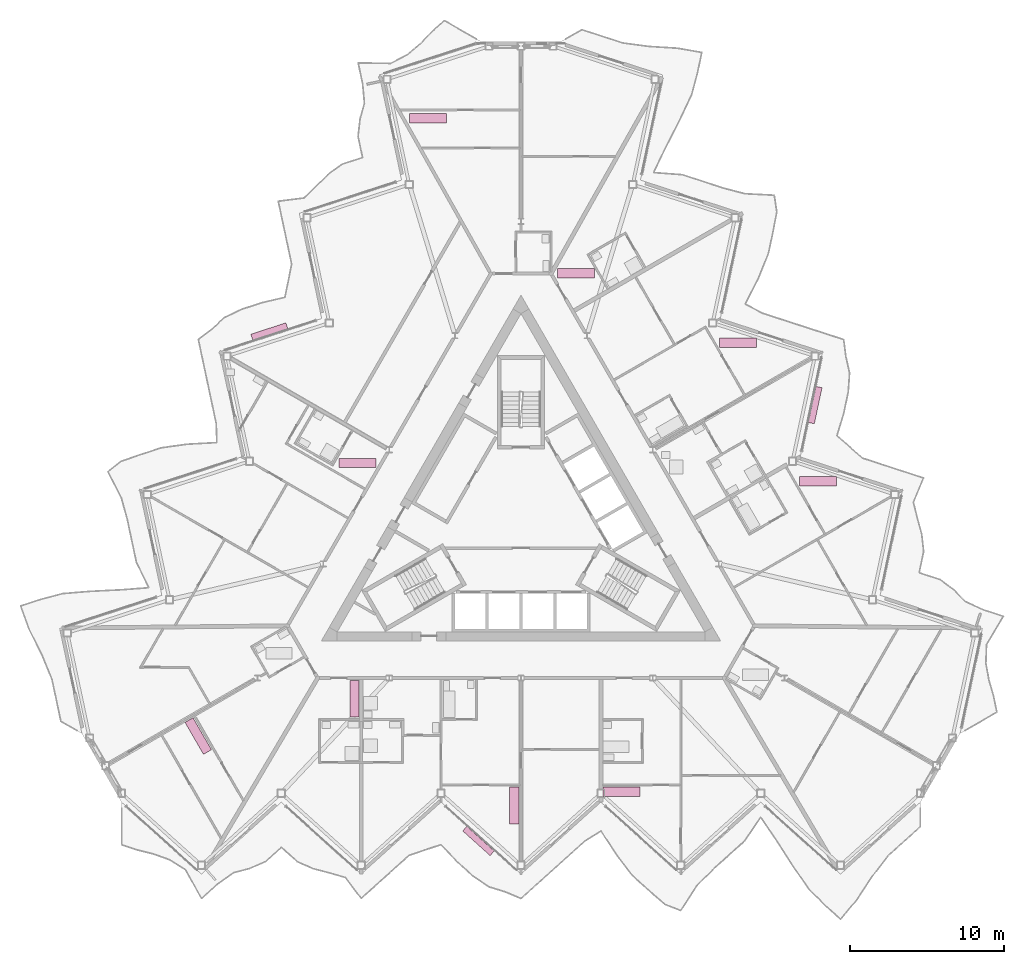
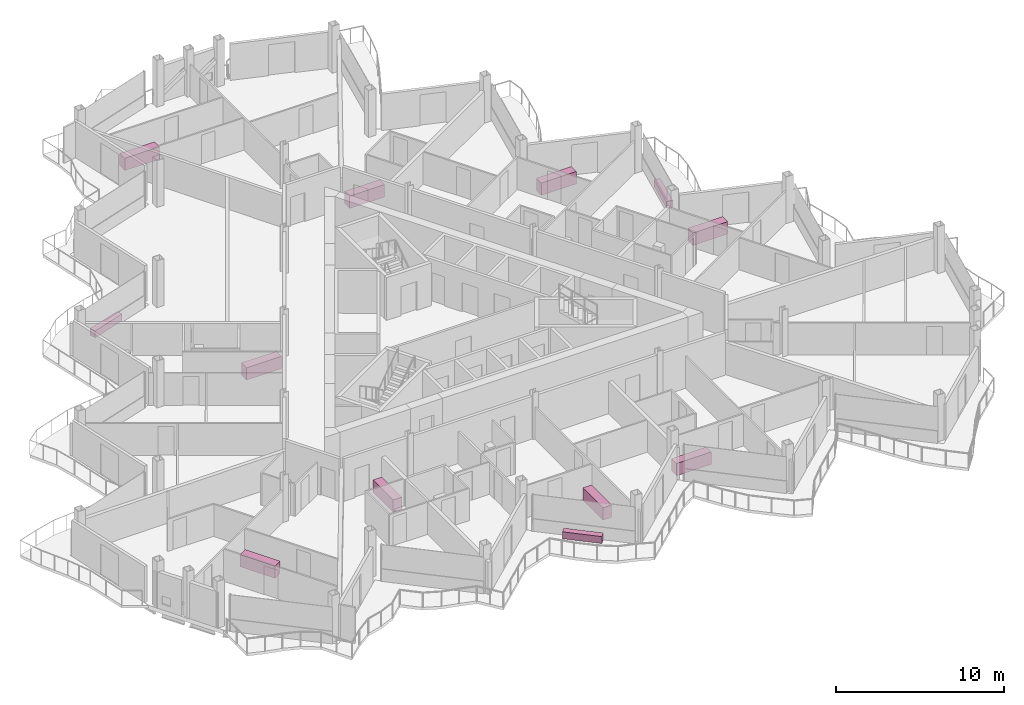
# One storey, part 26 of 26: 12 furniture elements.
"""IFC4 building model written with IfcOpenShell, lengths in metres."""

from ifc_helpers import new_model, si_unit, direction, frame, origin, origin_2d, place, context, subcontext, project, spatial, rectangle, extrude, material, type_object, element, save


model = new_model("IFC4")

# Units and contexts
model_context = context("Model", 3, precision=1e-05, world=origin(), true_north=direction((0.0, 1.0)))
body_context = subcontext(model_context, "Body", "Model", "MODEL_VIEW")
ifc_project = project(units=[si_unit("LENGTHUNIT", "METRE"), si_unit("AREAUNIT", "SQUARE_METRE"), si_unit("VOLUMEUNIT", "CUBIC_METRE"), si_unit("PLANEANGLEUNIT", "RADIAN"), si_unit("MASSUNIT", "GRAM", prefix="KILO")], contexts=[model_context])

# Site, building, storey
site_placement = place(None, origin())
site = spatial("IfcSite", under=ifc_project, at=site_placement, CompositionType="ELEMENT")
building_placement = place(site_placement, origin())
building = spatial("IfcBuilding", under=site, at=building_placement, Name="Cormorant Prow Tower", CompositionType="ELEMENT")
storey_placement = place(building_placement, frame((0.0, 0.0, 378.0)))
storey = spatial("IfcBuildingStorey", under=building, at=storey_placement, Name="L85", CompositionType="ELEMENT", Elevation=378.0)

# Furniture
ifc_material_1 = material(Name="Terracotta", Category="masonry")
furniture_type_1 = type_object("IfcFurnitureType", Name="Balcony planter 2400x400x500", AssemblyPlace="NOTDEFINED", PredefinedType="USERDEFINED", material=ifc_material_1)
for number, where, z_axis, x_axis, name in (
    (1, (-2.767333984375, -20.51025390625, 0.0), (0.0, 0.0, 1.0), (0.743144827638, -0.669130603959, 0.0), "Balcony planter S04"),
    (2, (19.14599609375, 7.858642578125, 0.0), (0.0, 0.0, 1.0), (0.207911620089, 0.978147615768, 0.0), "Balcony planter ENE04"),
    (3, (-16.37890625, 12.651611328125, 0.0), (0.0, 0.0, 1.0), (-0.951056534902, -0.309016937108, 0.0), "Balcony planter WNW04"),
):
    element("IfcFurniture", number, at=place(storey_placement, frame(where, z_axis=z_axis, x_axis=x_axis)), inside=storey, type_object=furniture_type_1, Name=name, ObjectType="PLANTER", PredefinedType="USERDEFINED", context=body_context, shape_type="SweptSolid", body=[
        extrude(rectangle(XDim=2.39990234375, YDim=0.39990234375, at=origin_2d()), origin(), (0.0, 0.0, 1.0), 0.5),
    ])
ifc_material_2 = material(Name="Timber joinery", Category="wood")
furniture_type_2 = type_object("IfcFurnitureType", Name="Kitchen counter 2400x600", AssemblyPlace="NOTDEFINED", PredefinedType="NOTDEFINED", material=ifc_material_2)
for number, where, z_axis, x_axis, name in (
    (4, (-10.844970703125, -11.25048828125, 0.0), (0.0, 0.0, 1.0), (0.0, -1.0, 0.0), "Kitchen counter"),
    (5, (-0.445068359375, -18.2080078125, 0.0), (0.0, 0.0, 1.0), (0.0, -1.0, 0.0), "Kitchen counter"),
    (6, (6.544921875, -17.30810546875, 0.0), (0.0, 0.0, 1.0), (1.0, 0.0, 0.0), "Kitchen counter"),
    (7, (19.33349609375, 2.904541015625, 0.0), (0.0, 0.0, 1.0), (1.0, 0.0, 0.0), "Kitchen counter"),
    (8, (14.133544921875, 11.911376953125, 0.0), (0.0, 0.0, 1.0), (1.0, 0.0, 0.0), "Kitchen counter"),
    (9, (3.572509765625, 16.439208984375, 0.0), (0.0, 0.0, 1.0), (1.0, 0.0, 0.0), "Kitchen counter"),
    (10, (-6.05810546875, 26.53369140625, 0.0), (0.0, 0.0, 1.0), (1.0, 0.0, 0.0), "Kitchen counter"),
    (11, (-10.644775390625, 4.08447265625, 0.0), (0.0, 0.0, 1.0), (1.0, 0.0, 0.0), "Kitchen counter"),
    (12, (-21.007080078125, -13.681396484375, 0.0), (0.0, 0.0, 1.0), (0.5, -0.866025403784, 0.0), "Kitchen counter"),
):
    element("IfcFurniture", number, at=place(storey_placement, frame(where, z_axis=z_axis, x_axis=x_axis)), inside=storey, type_object=furniture_type_2, Name=name, PredefinedType="NOTDEFINED", context=body_context, shape_type="SweptSolid", body=[
        extrude(rectangle(XDim=2.39990234375, YDim=0.60009765625, at=origin_2d()), origin(), (0.0, 0.0, 1.0), 0.89990234375),
    ])

save(model, "model.ifc")
